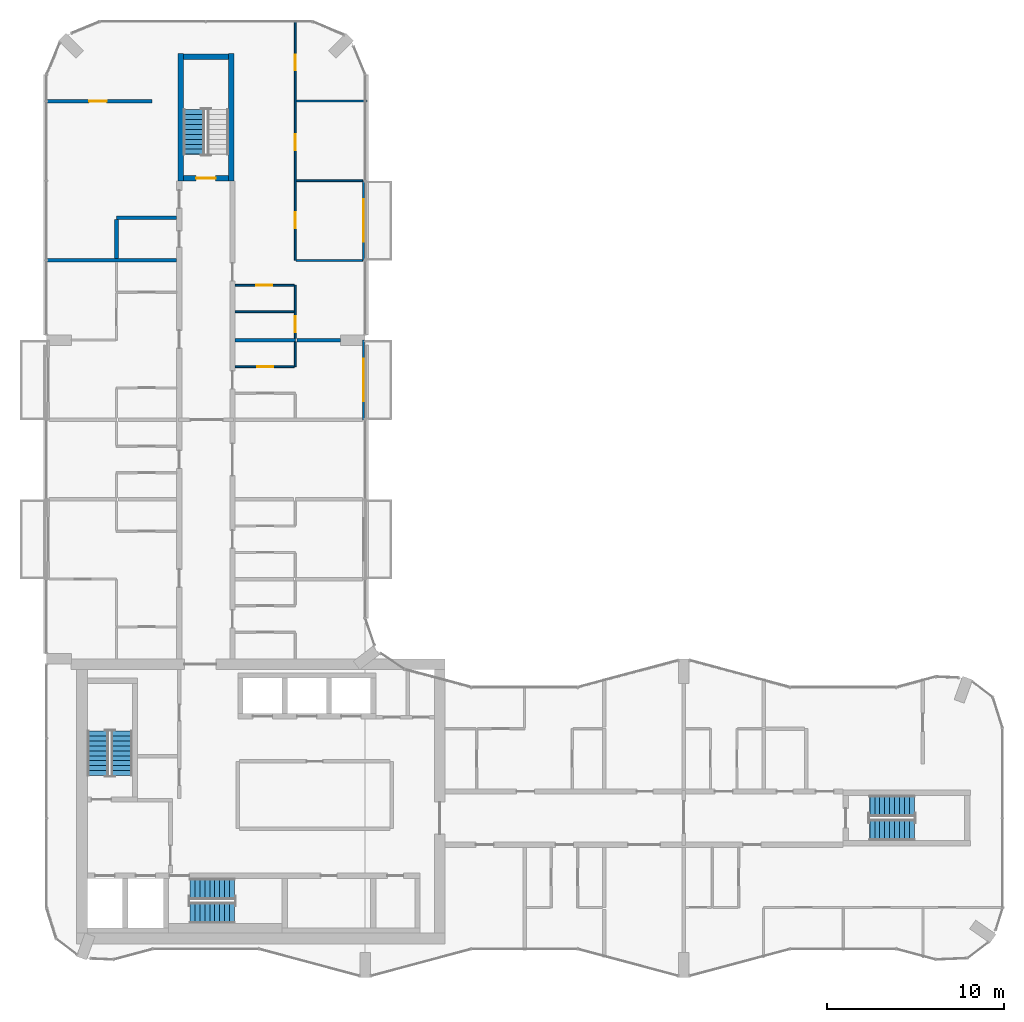
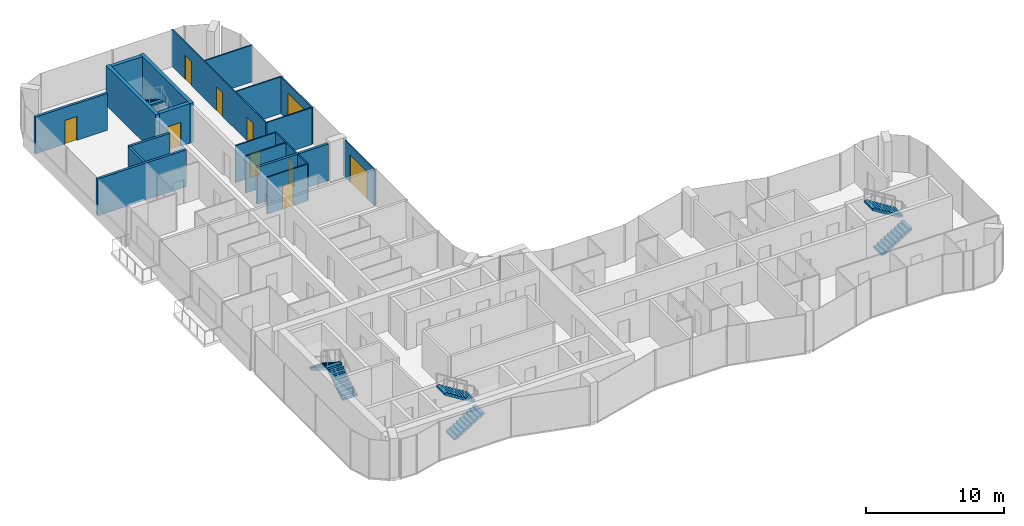
# One storey, part 13 of 17: 21 walls, 10 doors, 7 stair flights, 10 openings, 4 elements without a shape of their own.
"""IFC4 building model written with IfcOpenShell, lengths in metres."""

from ifc_helpers import new_model, si_unit, direction, frame, frame_2d, origin, place, context, subcontext, project, spatial, polyline, rectangle, outline, extrude, material, layer, layer_set, type_object, element, fill, aggregate, save


model = new_model("IFC4")

# Units and contexts
model_context = context("Model", 3, precision=1e-05, world=origin(), true_north=direction((0.0, 1.0)))
body_context = subcontext(model_context, "Body", "Model", "MODEL_VIEW")
ifc_project = project(units=[si_unit("LENGTHUNIT", "METRE"), si_unit("AREAUNIT", "SQUARE_METRE"), si_unit("VOLUMEUNIT", "CUBIC_METRE"), si_unit("PLANEANGLEUNIT", "RADIAN"), si_unit("MASSUNIT", "GRAM", prefix="KILO")], contexts=[model_context])

# Site, building, storey
site_placement = place(None, origin())
site = spatial("IfcSite", under=ifc_project, at=site_placement, CompositionType="ELEMENT")
building_placement = place(site_placement, origin())
building = spatial("IfcBuilding", under=site, at=building_placement, Name="Plateau Cross Towers", CompositionType="ELEMENT")
storey_placement = place(building_placement, frame((0.0, 0.0, 146.39990234375)))
storey = spatial("IfcBuildingStorey", under=building, at=storey_placement, Name="L37", CompositionType="ELEMENT", Elevation=146.39990234375)

# Wall, opening, door
ifc_material_1 = material(Name="Aluminium framed glazing", Category="aluminium")
ifc_layer_1 = layer(ifc_material_1, 0.10009765625)
ifc_layer_set_1 = layer_set([ifc_layer_1], Name="Aluminium framed glazing")
wall_type_1 = type_object("IfcWallType", Name="Balcony screen wall 100", PredefinedType="STANDARD", material=ifc_layer_set_1)
wall_1_placement = place(storey_placement, frame((17.89990234375, 36.0, 0.0), z_axis=(0.0, 0.0, 1.0), x_axis=(0.0, -1.0, 0.0)))
wall_1 = element("IfcWall", 1, at=wall_1_placement, inside=storey, type_object=wall_type_1, Name="Balcony screen wall A-BAL-L37-04", PredefinedType="STANDARD", context=body_context, shape_type="SweptSolid", body=[
    extrude(rectangle(XDim=4.5, YDim=0.10009765625, at=frame_2d((2.25, 0.0))), origin(), (0.0, 0.0, 1.0), 3.25),
])
opening_1_placement = place(wall_1_placement, frame((1.050048828125, 0.0, 0.0)))
opening_1 = element("IfcOpeningElement", 2, at=opening_1_placement, cuts=wall_1, Name="Opening D-B24", PredefinedType="OPENING", context=body_context, shape_type="SweptSolid", body=[
    extrude(rectangle(XDim=2.39990234375, YDim=2.39990234375, at=frame_2d((1.199951171875, 1.199951171875))), frame((0.0, 0.06005859375, 0.0), z_axis=(0.0, -1.0, 0.0), x_axis=(1.0, 0.0, 0.0)), (0.0, 0.0, 1.0), 0.1201171875),
])
ifc_material_2 = material(Name="Aluminium frame, double glazing", Category="aluminium")
door_type_1 = type_object("IfcDoorType", Name="Balcony sliding door 2400", OperationType="NOTDEFINED", PredefinedType="DOOR", material=ifc_material_2)
door_1_placement = place(opening_1_placement, origin())
door_1 = element("IfcDoor", 3, at=door_1_placement, inside=storey, type_object=door_type_1, Name="Balcony door A-BAL-L37-04", OperationType="SINGLE_SWING_LEFT", OverallHeight=2.39990234375, OverallWidth=2.39990234375, PredefinedType="DOOR", context=body_context, shape_type="SweptSolid", body=[
    extrude(rectangle(XDim=2.39990234375, YDim=2.39990234375, at=frame_2d((1.199951171875, 1.199951171875))), frame((0.0, 0.02490234375, 0.0), z_axis=(0.0, -1.0, 0.0), x_axis=(1.0, 0.0, 0.0)), (0.0, 0.0, 1.0), 0.050048828125),
])
fill(opening_1, door_1)

wall_2_placement = place(storey_placement, frame((17.89990234375, 45.0, 0.0), z_axis=(0.0, 0.0, 1.0), x_axis=(0.0, -1.0, 0.0)))
wall_2 = element("IfcWall", 4, at=wall_2_placement, inside=storey, type_object=wall_type_1, Name="Balcony screen wall A-BAL-L37-05", PredefinedType="STANDARD", context=body_context, shape_type="SweptSolid", body=[
    extrude(rectangle(XDim=4.5, YDim=0.10009765625, at=frame_2d((2.25, 0.0))), origin(), (0.0, 0.0, 1.0), 3.25),
])
opening_2_placement = place(wall_2_placement, frame((1.050048828125, 0.0, 0.0)))
opening_2 = element("IfcOpeningElement", 5, at=opening_2_placement, cuts=wall_2, Name="Opening D-B24", PredefinedType="OPENING", context=body_context, shape_type="SweptSolid", body=[
    extrude(rectangle(XDim=2.39990234375, YDim=2.39990234375, at=frame_2d((1.199951171875, 1.199951171875))), frame((0.0, 0.06005859375, 0.0), z_axis=(0.0, -1.0, 0.0), x_axis=(1.0, 0.0, 0.0)), (0.0, 0.0, 1.0), 0.1201171875),
])
door_2_placement = place(opening_2_placement, origin())
door_2 = element("IfcDoor", 6, at=door_2_placement, inside=storey, type_object=door_type_1, Name="Balcony door A-BAL-L37-05", OperationType="SINGLE_SWING_LEFT", OverallHeight=2.39990234375, OverallWidth=2.39990234375, PredefinedType="DOOR", context=body_context, shape_type="SweptSolid", body=[
    extrude(rectangle(XDim=2.39990234375, YDim=2.39990234375, at=frame_2d((1.199951171875, 1.199951171875))), frame((0.0, 0.02490234375, 0.0), z_axis=(0.0, -1.0, 0.0), x_axis=(1.0, 0.0, 0.0)), (0.0, 0.0, 1.0), 0.050048828125),
])
fill(opening_2, door_2)

ifc_material_3 = material(Name="Gypsum board on steel studs", Category="steel")
ifc_layer_2 = layer(ifc_material_3, 0.10009765625)
ifc_layer_set_2 = layer_set([ifc_layer_2], Name="Gypsum board on steel studs")
wall_type_2 = type_object("IfcWallType", Name="Flat partition 100", PredefinedType="PARTITIONING", material=ifc_layer_set_2)
wall_3_placement = place(storey_placement, frame((10.64990234375, 34.5, 0.0), z_axis=(0.0, 0.0, 1.0), x_axis=(1.0, 0.0, 0.0)))
wall_3 = element("IfcWall", 7, at=wall_3_placement, inside=storey, type_object=wall_type_2, Name="Partition wall", PredefinedType="PARTITIONING", context=body_context, shape_type="SweptSolid", body=[
    extrude(rectangle(XDim=3.35009765625, YDim=0.10009765625, at=frame_2d((1.675048828125, 0.0))), origin(), (0.0, 0.0, 1.0), 3.25),
])
opening_3_placement = place(wall_3_placement, frame((1.25, 0.0, 0.0)))
opening_3 = element("IfcOpeningElement", 8, at=opening_3_placement, cuts=wall_3, Name="Opening 37-49", PredefinedType="OPENING", context=body_context, shape_type="SweptSolid", body=[
    extrude(rectangle(XDim=0.89990234375, YDim=2.10009765625, at=frame_2d((0.449951171875, 1.050048828125))), frame((0.0, 0.06005859375, 0.0), z_axis=(0.0, -1.0, 0.0), x_axis=(1.0, 0.0, 0.0)), (0.0, 0.0, 1.0), 0.1201171875),
])
ifc_material_4 = material(Name="Timber leaf", Category="wood")
door_type_2 = type_object("IfcDoorType", Name="Flat room door 900", OperationType="NOTDEFINED", PredefinedType="DOOR", material=ifc_material_4)
door_3_placement = place(opening_3_placement, origin())
door_3 = element("IfcDoor", 9, at=door_3_placement, inside=storey, type_object=door_type_2, Name="Door 37-49", OperationType="SINGLE_SWING_RIGHT", OverallHeight=2.10009765625, OverallWidth=0.89990234375, PredefinedType="DOOR", context=body_context, shape_type="SweptSolid", body=[
    extrude(rectangle(XDim=0.89990234375, YDim=2.10009765625, at=frame_2d((0.449951171875, 1.050048828125))), frame((0.0, 0.02490234375, 0.0), z_axis=(0.0, -1.0, 0.0), x_axis=(1.0, 0.0, 0.0)), (0.0, 0.0, 1.0), 0.050048828125),
])
fill(opening_3, door_3)

# Wall
wall_4_placement = place(storey_placement, frame((14.0, 37.60009765625, 0.0), z_axis=(0.0, 0.0, 1.0), x_axis=(-1.0, 0.0, 0.0)))
element("IfcWall", 10, at=wall_4_placement, inside=storey, type_object=wall_type_2, Name="Partition wall", PredefinedType="PARTITIONING", context=body_context, shape_type="SweptSolid", body=[
    extrude(rectangle(XDim=3.35009765625, YDim=0.10009765625, at=frame_2d((1.675048828125, 0.0))), origin(), (0.0, 0.0, 1.0), 3.25),
])

# Wall, opening, door
wall_5_placement = place(storey_placement, frame((14.0, 39.10009765625, 0.0), z_axis=(0.0, 0.0, 1.0), x_axis=(-1.0, 0.0, 0.0)))
wall_5 = element("IfcWall", 11, at=wall_5_placement, inside=storey, type_object=wall_type_2, Name="Partition wall", PredefinedType="PARTITIONING", context=body_context, shape_type="SweptSolid", body=[
    extrude(rectangle(XDim=3.35009765625, YDim=0.10009765625, at=frame_2d((1.675048828125, 0.0))), origin(), (0.0, 0.0, 1.0), 3.25),
])
opening_4_placement = place(wall_5_placement, frame((1.25, 0.0, 0.0)))
opening_4 = element("IfcOpeningElement", 12, at=opening_4_placement, cuts=wall_5, Name="Opening 37-51", PredefinedType="OPENING", context=body_context, shape_type="SweptSolid", body=[
    extrude(rectangle(XDim=0.89990234375, YDim=2.10009765625, at=frame_2d((0.449951171875, 1.050048828125))), frame((0.0, 0.06005859375, 0.0), z_axis=(0.0, -1.0, 0.0), x_axis=(1.0, 0.0, 0.0)), (0.0, 0.0, 1.0), 0.1201171875),
])
door_4_placement = place(opening_4_placement, origin())
door_4 = element("IfcDoor", 13, at=door_4_placement, inside=storey, type_object=door_type_2, Name="Door 37-51", OperationType="SINGLE_SWING_RIGHT", OverallHeight=2.10009765625, OverallWidth=0.89990234375, PredefinedType="DOOR", context=body_context, shape_type="SweptSolid", body=[
    extrude(rectangle(XDim=0.89990234375, YDim=2.10009765625, at=frame_2d((0.449951171875, 1.050048828125))), frame((0.0, 0.02490234375, 0.0), z_axis=(0.0, -1.0, 0.0), x_axis=(1.0, 0.0, 0.0)), (0.0, 0.0, 1.0), 0.050048828125),
])
fill(opening_4, door_4)

# Walls
for number, where, z_axis, x_axis, name in (
    (14, (14.10009765625, 40.5, 0.0), (0.0, 0.0, 1.0), (1.0, 0.0, 0.0), "Partition wall"),
    (15, (17.85009765625, 45.0, 0.0), (0.0, 0.0, 1.0), (-1.0, 0.0, 0.0), "Partition wall"),
):
    element("IfcWall", number, at=place(storey_placement, frame(where, z_axis=z_axis, x_axis=x_axis)), inside=storey, type_object=wall_type_2, Name=name, PredefinedType="PARTITIONING", context=body_context, shape_type="SweptSolid", body=[
        extrude(rectangle(XDim=3.75, YDim=0.10009765625, at=frame_2d((1.875, 0.0))), origin(), (0.0, 0.0, 1.0), 3.25),
    ])
wall_6_placement = place(storey_placement, frame((18.080078125, 49.5, 0.0), z_axis=(0.0, 0.0, 1.0), x_axis=(-1.0, 0.0, 0.0)))
element("IfcWall", 16, at=wall_6_placement, inside=storey, type_object=wall_type_2, Name="Partition wall", PredefinedType="PARTITIONING", context=body_context, shape_type="SweptSolid", body=[
    extrude(rectangle(XDim=3.97998046875, YDim=0.10009765625, at=frame_2d((1.989990234375, 0.0))), origin(), (0.0, 0.0, 1.0), 3.25),
])

# Wall, openings, doors
wall_7_placement = place(storey_placement, frame((14.050048828125, 54.080078125, 0.0), z_axis=(0.0, 0.0, 1.0), x_axis=(0.0, -1.0, 0.0)))
wall_7 = element("IfcWall", 17, at=wall_7_placement, inside=storey, type_object=wall_type_2, Name="Partition wall", PredefinedType="PARTITIONING", context=body_context, shape_type="SweptSolid", body=[
    extrude(rectangle(XDim=13.580078125, YDim=0.10009765625, at=frame_2d((6.7900390625, 0.0))), origin(), (0.0, 0.0, 1.0), 3.25),
])
opening_5_placement = place(wall_7_placement, frame((10.85009765625, 0.0, 0.0)))
opening_5 = element("IfcOpeningElement", 18, at=opening_5_placement, cuts=wall_7, Name="Opening 37-52", PredefinedType="OPENING", context=body_context, shape_type="SweptSolid", body=[
    extrude(rectangle(XDim=0.89990234375, YDim=2.10009765625, at=frame_2d((0.449951171875, 1.050048828125))), frame((0.0, 0.06005859375, 0.0), z_axis=(0.0, -1.0, 0.0), x_axis=(1.0, 0.0, 0.0)), (0.0, 0.0, 1.0), 0.1201171875),
])
opening_6_placement = place(wall_7_placement, frame((6.449951171875, 0.0, 0.0)))
opening_6 = element("IfcOpeningElement", 19, at=opening_6_placement, cuts=wall_7, Name="Opening 37-53", PredefinedType="OPENING", context=body_context, shape_type="SweptSolid", body=[
    extrude(rectangle(XDim=0.89990234375, YDim=2.10009765625, at=frame_2d((0.449951171875, 1.050048828125))), frame((0.0, 0.06005859375, 0.0), z_axis=(0.0, -1.0, 0.0), x_axis=(1.0, 0.0, 0.0)), (0.0, 0.0, 1.0), 0.1201171875),
])
opening_7_placement = place(wall_7_placement, frame((1.949951171875, 0.0, 0.0)))
opening_7 = element("IfcOpeningElement", 20, at=opening_7_placement, cuts=wall_7, Name="Opening 37-54", PredefinedType="OPENING", context=body_context, shape_type="SweptSolid", body=[
    extrude(rectangle(XDim=0.89990234375, YDim=2.10009765625, at=frame_2d((0.449951171875, 1.050048828125))), frame((0.0, 0.06005859375, 0.0), z_axis=(0.0, -1.0, 0.0), x_axis=(1.0, 0.0, 0.0)), (0.0, 0.0, 1.0), 0.1201171875),
])
door_5_placement = place(opening_5_placement, origin())
door_5 = element("IfcDoor", 21, at=door_5_placement, inside=storey, type_object=door_type_2, Name="Door 37-52", OperationType="SINGLE_SWING_RIGHT", OverallHeight=2.10009765625, OverallWidth=0.89990234375, PredefinedType="DOOR", context=body_context, shape_type="SweptSolid", body=[
    extrude(rectangle(XDim=0.89990234375, YDim=2.10009765625, at=frame_2d((0.449951171875, 1.050048828125))), frame((0.0, 0.02490234375, 0.0), z_axis=(0.0, -1.0, 0.0), x_axis=(1.0, 0.0, 0.0)), (0.0, 0.0, 1.0), 0.050048828125),
])
fill(opening_5, door_5)
door_6_placement = place(opening_6_placement, origin())
door_6 = element("IfcDoor", 22, at=door_6_placement, inside=storey, type_object=door_type_2, Name="Door 37-53", OperationType="SINGLE_SWING_RIGHT", OverallHeight=2.10009765625, OverallWidth=0.89990234375, PredefinedType="DOOR", context=body_context, shape_type="SweptSolid", body=[
    extrude(rectangle(XDim=0.89990234375, YDim=2.10009765625, at=frame_2d((0.449951171875, 1.050048828125))), frame((0.0, 0.02490234375, 0.0), z_axis=(0.0, -1.0, 0.0), x_axis=(1.0, 0.0, 0.0)), (0.0, 0.0, 1.0), 0.050048828125),
])
fill(opening_6, door_6)
door_7_placement = place(opening_7_placement, origin())
door_7 = element("IfcDoor", 23, at=door_7_placement, inside=storey, type_object=door_type_2, Name="Door 37-54", OperationType="SINGLE_SWING_LEFT", OverallHeight=2.10009765625, OverallWidth=0.89990234375, PredefinedType="DOOR", context=body_context, shape_type="SweptSolid", body=[
    extrude(rectangle(XDim=0.89990234375, YDim=2.10009765625, at=frame_2d((0.449951171875, 1.050048828125))), frame((0.0, 0.02490234375, 0.0), z_axis=(0.0, -1.0, 0.0), x_axis=(1.0, 0.0, 0.0)), (0.0, 0.0, 1.0), 0.050048828125),
])
fill(opening_7, door_7)

# Wall
wall_8_placement = place(storey_placement, frame((14.050048828125, 34.5, 0.0), z_axis=(0.0, 0.0, 1.0), x_axis=(0.0, 1.0, 0.0)))
element("IfcWall", 24, at=wall_8_placement, inside=storey, type_object=wall_type_2, Name="Partition wall", PredefinedType="PARTITIONING", context=body_context, shape_type="SweptSolid", body=[
    extrude(rectangle(XDim=1.39990234375, YDim=0.10009765625, at=frame_2d((0.699951171875, 0.0))), origin(), (0.0, 0.0, 1.0), 3.25),
])

# Wall, opening, door
wall_9_placement = place(storey_placement, frame((14.050048828125, 36.10009765625, 0.0), z_axis=(0.0, 0.0, 1.0), x_axis=(0.0, 1.0, 0.0)))
wall_9 = element("IfcWall", 25, at=wall_9_placement, inside=storey, type_object=wall_type_2, Name="Partition wall", PredefinedType="PARTITIONING", context=body_context, shape_type="SweptSolid", body=[
    extrude(rectangle(XDim=3.0, YDim=0.10009765625, at=frame_2d((1.5, 0.0))), origin(), (0.0, 0.0, 1.0), 3.25),
])
opening_8_placement = place(wall_9_placement, frame((0.35009765625, 0.0, 0.0)))
opening_8 = element("IfcOpeningElement", 26, at=opening_8_placement, cuts=wall_9, Name="Opening 37-50", PredefinedType="OPENING", context=body_context, shape_type="SweptSolid", body=[
    extrude(rectangle(XDim=0.89990234375, YDim=2.10009765625, at=frame_2d((0.449951171875, 1.050048828125))), frame((0.0, 0.06005859375, 0.0), z_axis=(0.0, -1.0, 0.0), x_axis=(1.0, 0.0, 0.0)), (0.0, 0.0, 1.0), 0.1201171875),
])
door_8_placement = place(opening_8_placement, origin())
door_8 = element("IfcDoor", 27, at=door_8_placement, inside=storey, type_object=door_type_2, Name="Door 37-50", OperationType="SINGLE_SWING_LEFT", OverallHeight=2.10009765625, OverallWidth=0.89990234375, PredefinedType="DOOR", context=body_context, shape_type="SweptSolid", body=[
    extrude(rectangle(XDim=0.89990234375, YDim=2.10009765625, at=frame_2d((0.449951171875, 1.050048828125))), frame((0.0, 0.02490234375, 0.0), z_axis=(0.0, -1.0, 0.0), x_axis=(1.0, 0.0, 0.0)), (0.0, 0.0, 1.0), 0.050048828125),
])
fill(opening_8, door_8)

# Walls
ifc_material_5 = material(Name="Gypsum board on steel studs, two layers each side", Category="steel")
ifc_layer_3 = layer(ifc_material_5, 0.199951171875)
ifc_layer_set_3 = layer_set([ifc_layer_3], Name="Gypsum board on steel studs, two layers each side")
wall_type_3 = type_object("IfcWallType", Name="Flat party wall 200", PredefinedType="PARTITIONING", material=ifc_layer_set_3)
wall_10_placement = place(storey_placement, frame((14.050048828125, 36.0, 0.0), z_axis=(0.0, 0.0, 1.0), x_axis=(-1.0, 0.0, 0.0)))
element("IfcWall", 28, at=wall_10_placement, inside=storey, type_object=wall_type_3, Name="Party wall", PredefinedType="PARTITIONING", context=body_context, shape_type="SweptSolid", body=[
    extrude(rectangle(XDim=3.400146484375, YDim=0.199951171875, at=frame_2d((1.7001953125, 0.0))), origin(), (0.0, 0.0, 1.0), 3.25),
])
wall_11_placement = place(storey_placement, frame((14.14990234375, 36.0, 0.0), z_axis=(0.0, 0.0, 1.0), x_axis=(1.0, 0.0, 0.0)))
element("IfcWall", 29, at=wall_11_placement, inside=storey, type_object=wall_type_3, Name="Party wall", PredefinedType="PARTITIONING", context=body_context, shape_type="SweptSolid", body=[
    extrude(rectangle(XDim=2.4501953125, YDim=0.199951171875, at=frame_2d((1.22509765625, 0.0))), origin(), (0.0, 0.0, 1.0), 3.25),
])
wall_12_placement = place(storey_placement, frame((7.35009765625, 40.5, 0.0), z_axis=(0.0, 0.0, 1.0), x_axis=(-1.0, 0.0, 0.0)))
element("IfcWall", 30, at=wall_12_placement, inside=storey, type_object=wall_type_3, Name="Party wall", PredefinedType="PARTITIONING", context=body_context, shape_type="SweptSolid", body=[
    extrude(rectangle(XDim=7.43017578125, YDim=0.199951171875, at=frame_2d((3.715087890625, 0.0))), origin(), (0.0, 0.0, 1.0), 3.25),
])
wall_13_placement = place(storey_placement, frame((7.35009765625, 42.89990234375, 0.0), z_axis=(0.0, 0.0, 1.0), x_axis=(-1.0, 0.0, 0.0)))
element("IfcWall", 31, at=wall_13_placement, inside=storey, type_object=wall_type_3, Name="Party wall", PredefinedType="PARTITIONING", context=body_context, shape_type="SweptSolid", body=[
    extrude(rectangle(XDim=3.400146484375, YDim=0.199951171875, at=frame_2d((1.7001953125, 0.0))), origin(), (0.0, 0.0, 1.0), 3.25),
])

# Wall, opening, door
wall_14_placement = place(storey_placement, frame((5.949951171875, 49.5, 0.0), z_axis=(0.0, 0.0, 1.0), x_axis=(-1.0, 0.0, 0.0)))
wall_14 = element("IfcWall", 32, at=wall_14_placement, inside=storey, type_object=wall_type_3, Name="Party wall", PredefinedType="PARTITIONING", context=body_context, shape_type="SweptSolid", body=[
    extrude(rectangle(XDim=6.030029296875, YDim=0.199951171875, at=frame_2d((3.01513671875, 0.0))), origin(), (0.0, 0.0, 1.0), 3.25),
])
opening_9_placement = place(wall_14_placement, frame((2.550048828125, 0.0, 0.0)))
opening_9 = element("IfcOpeningElement", 33, at=opening_9_placement, cuts=wall_14, Name="Opening 37-23", PredefinedType="OPENING", context=body_context, shape_type="SweptSolid", body=[
    extrude(rectangle(XDim=1.0, YDim=2.10009765625, at=frame_2d((0.5, 1.050048828125))), frame((0.0, 0.10986328125, 0.0), z_axis=(0.0, -1.0, 0.0), x_axis=(1.0, 0.0, 0.0)), (0.0, 0.0, 1.0), 0.219970703125),
])
ifc_material_6 = material(Name="Timber, fire-resisting leaf", Category="wood")
door_type_3 = type_object("IfcDoorType", Name="Flat entrance door 1000", OperationType="NOTDEFINED", PredefinedType="DOOR", material=ifc_material_6)
door_9_placement = place(opening_9_placement, origin())
door_9 = element("IfcDoor", 34, at=door_9_placement, inside=storey, type_object=door_type_3, Name="Door 37-23", OperationType="SINGLE_SWING_RIGHT", OverallHeight=2.10009765625, OverallWidth=1.0, PredefinedType="DOOR", context=body_context, shape_type="SweptSolid", body=[
    extrude(rectangle(XDim=1.0, YDim=2.10009765625, at=frame_2d((0.5, 1.050048828125))), frame((0.0, 0.02490234375, 0.0), z_axis=(0.0, -1.0, 0.0), x_axis=(1.0, 0.0, 0.0)), (0.0, 0.0, 1.0), 0.050048828125),
])
fill(opening_9, door_9)

# Wall
wall_15_placement = place(storey_placement, frame((3.949951171875, 42.800048828125, 0.0), z_axis=(0.0, 0.0, 1.0), x_axis=(0.0, -1.0, 0.0)))
element("IfcWall", 35, at=wall_15_placement, inside=storey, type_object=wall_type_3, Name="Party wall", PredefinedType="PARTITIONING", context=body_context, shape_type="SweptSolid", body=[
    extrude(rectangle(XDim=2.199951171875, YDim=0.199951171875, at=frame_2d((1.10009765625, 0.0))), origin(), (0.0, 0.0, 1.0), 3.25),
])

# Wall, opening, door
ifc_material_7 = material(Name="Concrete C60/75", Category="concrete")
ifc_layer_4 = layer(ifc_material_7, 0.300048828125)
ifc_layer_set_4 = layer_set([ifc_layer_4], Name="Concrete C60/75")
wall_type_4 = type_object("IfcWallType", Name="Stair tower wall 300", PredefinedType="SHEAR", material=ifc_layer_set_4)
wall_16_placement = place(storey_placement, frame((7.72509765625, 45.14990234375, 0.0), z_axis=(0.0, 0.0, 1.0), x_axis=(1.0, 0.0, 0.0)))
wall_16 = element("IfcWall", 36, at=wall_16_placement, inside=storey, type_object=wall_type_4, Name="A-end-N-S@L37", PredefinedType="SHEAR", context=body_context, shape_type="SweptSolid", body=[
    extrude(rectangle(XDim=2.5498046875, YDim=0.300048828125, at=frame_2d((1.27490234375, 0.0))), origin(), (0.0, 0.0, 1.0), 3.5),
])
opening_10_placement = place(wall_16_placement, frame((0.72509765625, 0.0, 0.0)))
opening_10 = element("IfcOpeningElement", 37, at=opening_10_placement, cuts=wall_16, Name="Opening SD", PredefinedType="OPENING", context=body_context, shape_type="SweptSolid", body=[
    extrude(rectangle(XDim=1.10009765625, YDim=2.10009765625, at=frame_2d((0.550048828125, 1.050048828125))), frame((0.0, 0.159912109375, 0.0), z_axis=(0.0, -1.0, 0.0), x_axis=(1.0, 0.0, 0.0)), (0.0, 0.0, 1.0), 0.320068359375),
])
ifc_material_8 = material(Name="Steel, fire-resisting leaf", Category="steel")
door_type_4 = type_object("IfcDoorType", Name="Stair door 1100", OperationType="NOTDEFINED", PredefinedType="DOOR", material=ifc_material_8)
door_10_placement = place(opening_10_placement, origin())
door_10 = element("IfcDoor", 38, at=door_10_placement, inside=storey, type_object=door_type_4, Name="Stair door SD", OperationType="SINGLE_SWING_LEFT", OverallHeight=2.10009765625, OverallWidth=1.10009765625, PredefinedType="DOOR", context=body_context, shape_type="SweptSolid", body=[
    extrude(rectangle(XDim=1.10009765625, YDim=2.10009765625, at=frame_2d((0.550048828125, 1.050048828125))), frame((0.0, 0.02490234375, 0.0), z_axis=(0.0, -1.0, 0.0), x_axis=(1.0, 0.0, 0.0)), (0.0, 0.0, 1.0), 0.050048828125),
])
fill(opening_10, door_10)

# Walls
wall_17_placement = place(storey_placement, frame((7.72509765625, 52.0, 0.0), z_axis=(0.0, 0.0, 1.0), x_axis=(1.0, 0.0, 0.0)))
element("IfcWall", 39, at=wall_17_placement, inside=storey, type_object=wall_type_4, Name="A-end-N-N@L37", PredefinedType="SHEAR", context=body_context, shape_type="SweptSolid", body=[
    extrude(rectangle(XDim=2.5498046875, YDim=0.300048828125, at=frame_2d((1.27490234375, 0.0))), origin(), (0.0, 0.0, 1.0), 3.5),
])
for number, where, z_axis, x_axis, name in (
    (40, (7.574951171875, 45.0, 0.0), (0.0, 0.0, 1.0), (0.0, 1.0, 0.0), "A-end-N-W@L37"),
    (41, (10.425048828125, 45.0, 0.0), (0.0, 0.0, 1.0), (0.0, 1.0, 0.0), "A-end-N-E@L37"),
):
    element("IfcWall", number, at=place(storey_placement, frame(where, z_axis=z_axis, x_axis=x_axis)), inside=storey, type_object=wall_type_4, Name=name, PredefinedType="SHEAR", context=body_context, shape_type="SweptSolid", body=[
        extrude(rectangle(XDim=7.199951171875, YDim=0.300048828125, at=frame_2d((3.60009765625, 0.0))), origin(), (0.0, 0.0, 1.0), 3.5),
    ])

# Stair, stair flights
ifc_material_9 = material(Name="Concrete C40/50", Category="concrete")
stair_type = type_object("IfcStairType", Name="ST-TWR", PredefinedType="HALF_TURN_STAIR", material=ifc_material_9)
stair_1_placement = place(storey_placement, origin())
stair_1 = element("IfcStair", 42, at=stair_1_placement, inside=storey, type_object=stair_type, Name="L37 Protected Exit Stair ST-1", PredefinedType="HALF_TURN_STAIR")
stair_flight_type = type_object("IfcStairFlightType", Name="SFL-RC", PredefinedType="STRAIGHT", material=ifc_material_9)
stair_flight_1_placement = place(storey_placement, frame((4.25, 11.39990234375, 0.0), z_axis=(0.0, 0.0, 1.0), x_axis=(0.0, 1.0, 0.0)))
stair_flight_1 = element("IfcStairFlight", 43, at=stair_flight_1_placement, type_object=stair_flight_type, Name="ST-1 flight 1", NumberOfRisers=10, NumberOfTreads=9, PredefinedType="STRAIGHT", RiserHeight=0.175, TreadLength=0.28, context=body_context, shape_type="SweptSolid", body=[
    extrude(outline(polyline([(-0.0048828125, -0.010009765625), (-0.0048828125, 0.0), (0.0, 0.0), (0.0, 0.175048828125), (0.280029296875, 0.175048828125), (0.280029296875, 0.35009765625), (0.56005859375, 0.35009765625), (0.56005859375, 0.52490234375), (0.840087890625, 0.52490234375), (0.840087890625, 0.699951171875), (1.1201171875, 0.699951171875), (1.1201171875, 0.875), (1.39990234375, 0.875), (1.39990234375, 1.050048828125), (1.679931640625, 1.050048828125), (1.679931640625, 1.22509765625), (1.9599609375, 1.22509765625), (1.9599609375, 1.39990234375), (2.239990234375, 1.39990234375), (2.239990234375, 1.574951171875), (2.52001953125, 1.574951171875), (2.52490234375, 1.56494140625), (2.52490234375, 1.398193359375), (2.52001953125, 1.398193359375), (0.28271484375, 0.0), (0.02001953125, 0.0), (0.02001953125, -0.010009765625), (-0.0048828125, -0.010009765625)])), frame((0.0, 0.60009765625, 0.0), z_axis=(0.0, -1.0, 0.0), x_axis=(1.0, 0.0, 0.0)), (0.0, 0.0, 1.0), 1.199951171875),
])
stair_flight_2_placement = place(storey_placement, frame((2.89990234375, 13.919921875, 1.75), z_axis=(0.0, 0.0, 1.0), x_axis=(0.0, -1.0, 0.0)))
stair_flight_2 = element("IfcStairFlight", 44, at=stair_flight_2_placement, type_object=stair_flight_type, Name="ST-1 flight 2", NumberOfRisers=10, NumberOfTreads=9, PredefinedType="STRAIGHT", RiserHeight=0.175, TreadLength=0.28, context=body_context, shape_type="SweptSolid", body=[
    extrude(outline(polyline([(-0.0048828125, -0.010009765625), (-0.0048828125, 0.0), (0.0, 0.0), (0.0, 0.175048828125), (0.280029296875, 0.175048828125), (0.280029296875, 0.35009765625), (0.56005859375, 0.35009765625), (0.56005859375, 0.52490234375), (0.840087890625, 0.52490234375), (0.840087890625, 0.699951171875), (1.1201171875, 0.699951171875), (1.1201171875, 0.875), (1.39990234375, 0.875), (1.39990234375, 1.050048828125), (1.679931640625, 1.050048828125), (1.679931640625, 1.22509765625), (1.9599609375, 1.22509765625), (1.9599609375, 1.39990234375), (2.239990234375, 1.39990234375), (2.239990234375, 1.574951171875), (2.52001953125, 1.574951171875), (2.52490234375, 1.56494140625), (2.52490234375, 1.398193359375), (2.52001953125, 1.398193359375), (0.28271484375, 0.0), (0.02001953125, 0.0), (0.02001953125, -0.010009765625), (-0.0048828125, -0.010009765625)])), frame((0.0, 0.60009765625, 0.0), z_axis=(0.0, -1.0, 0.0), x_axis=(1.0, 0.0, 0.0)), (0.0, 0.0, 1.0), 1.199951171875),
])
aggregate(stair_1, [stair_flight_1, stair_flight_2])

stair_2_placement = place(storey_placement, origin())
stair_2 = element("IfcStair", 45, at=stair_2_placement, inside=storey, type_object=stair_type, Name="L37 Protected Exit Stair ST-2", PredefinedType="HALF_TURN_STAIR")
stair_flight_3_placement = place(storey_placement, frame((8.10009765625, 3.64990234375, 0.0), z_axis=(0.0, 0.0, 1.0), x_axis=(1.0, 0.0, 0.0)))
stair_flight_3 = element("IfcStairFlight", 46, at=stair_flight_3_placement, type_object=stair_flight_type, Name="ST-2 flight 1", NumberOfRisers=10, NumberOfTreads=9, PredefinedType="STRAIGHT", RiserHeight=0.175, TreadLength=0.28, context=body_context, shape_type="SweptSolid", body=[
    extrude(outline(polyline([(-0.0048828125, -0.010009765625), (-0.0048828125, 0.0), (0.0, 0.0), (0.0, 0.175048828125), (0.280029296875, 0.175048828125), (0.280029296875, 0.35009765625), (0.56005859375, 0.35009765625), (0.56005859375, 0.52490234375), (0.840087890625, 0.52490234375), (0.840087890625, 0.699951171875), (1.1201171875, 0.699951171875), (1.1201171875, 0.875), (1.39990234375, 0.875), (1.39990234375, 1.050048828125), (1.679931640625, 1.050048828125), (1.679931640625, 1.22509765625), (1.9599609375, 1.22509765625), (1.9599609375, 1.39990234375), (2.239990234375, 1.39990234375), (2.239990234375, 1.574951171875), (2.52001953125, 1.574951171875), (2.52490234375, 1.56494140625), (2.52490234375, 1.398193359375), (2.52001953125, 1.398193359375), (0.28271484375, 0.0), (0.02001953125, 0.0), (0.02001953125, -0.010009765625), (-0.0048828125, -0.010009765625)])), frame((0.0, 0.60009765625, 0.0), z_axis=(0.0, -1.0, 0.0), x_axis=(1.0, 0.0, 0.0)), (0.0, 0.0, 1.0), 1.199951171875),
])
stair_flight_4_placement = place(storey_placement, frame((10.6201171875, 5.0, 1.75), z_axis=(0.0, 0.0, 1.0), x_axis=(-1.0, 0.0, 0.0)))
stair_flight_4 = element("IfcStairFlight", 47, at=stair_flight_4_placement, type_object=stair_flight_type, Name="ST-2 flight 2", NumberOfRisers=10, NumberOfTreads=9, PredefinedType="STRAIGHT", RiserHeight=0.175, TreadLength=0.28, context=body_context, shape_type="SweptSolid", body=[
    extrude(outline(polyline([(-0.0048828125, -0.010009765625), (-0.0048828125, 0.0), (0.0, 0.0), (0.0, 0.175048828125), (0.280029296875, 0.175048828125), (0.280029296875, 0.35009765625), (0.56005859375, 0.35009765625), (0.56005859375, 0.52490234375), (0.840087890625, 0.52490234375), (0.840087890625, 0.699951171875), (1.1201171875, 0.699951171875), (1.1201171875, 0.875), (1.39990234375, 0.875), (1.39990234375, 1.050048828125), (1.679931640625, 1.050048828125), (1.679931640625, 1.22509765625), (1.9599609375, 1.22509765625), (1.9599609375, 1.39990234375), (2.239990234375, 1.39990234375), (2.239990234375, 1.574951171875), (2.52001953125, 1.574951171875), (2.52490234375, 1.56494140625), (2.52490234375, 1.398193359375), (2.52001953125, 1.398193359375), (0.28271484375, 0.0), (0.02001953125, 0.0), (0.02001953125, -0.010009765625), (-0.0048828125, -0.010009765625)])), frame((0.0, 0.60009765625, 0.0), z_axis=(0.0, -1.0, 0.0), x_axis=(1.0, 0.0, 0.0)), (0.0, 0.0, 1.0), 1.199951171875),
])
aggregate(stair_2, [stair_flight_3, stair_flight_4])

stair_3_placement = place(storey_placement, origin())
stair_3 = element("IfcStair", 48, at=stair_3_placement, inside=storey, type_object=stair_type, Name="L37 Protected Exit Stair E", PredefinedType="HALF_TURN_STAIR")
stair_flight_5_placement = place(storey_placement, frame((46.5, 8.324951171875, 0.0), z_axis=(0.0, 0.0, 1.0), x_axis=(1.0, 0.0, 0.0)))
stair_flight_5 = element("IfcStairFlight", 49, at=stair_flight_5_placement, type_object=stair_flight_type, Name="ES-E flight 1", NumberOfRisers=10, NumberOfTreads=9, PredefinedType="STRAIGHT", RiserHeight=0.175, TreadLength=0.28, context=body_context, shape_type="SweptSolid", body=[
    extrude(outline(polyline([(-0.0048828125, -0.010009765625), (-0.0048828125, 0.0), (0.0, 0.0), (0.0, 0.175048828125), (0.280029296875, 0.175048828125), (0.280029296875, 0.35009765625), (0.56005859375, 0.35009765625), (0.56005859375, 0.52490234375), (0.840087890625, 0.52490234375), (0.840087890625, 0.699951171875), (1.1201171875, 0.699951171875), (1.1201171875, 0.875), (1.39990234375, 0.875), (1.39990234375, 1.050048828125), (1.679931640625, 1.050048828125), (1.679931640625, 1.22509765625), (1.9599609375, 1.22509765625), (1.9599609375, 1.39990234375), (2.239990234375, 1.39990234375), (2.239990234375, 1.574951171875), (2.52001953125, 1.574951171875), (2.52490234375, 1.56494140625), (2.52490234375, 1.398193359375), (2.52001953125, 1.398193359375), (0.28271484375, 0.0), (0.02001953125, 0.0), (0.02001953125, -0.010009765625), (-0.0048828125, -0.010009765625)])), frame((0.0, 0.60009765625, 0.0), z_axis=(0.0, -1.0, 0.0), x_axis=(1.0, 0.0, 0.0)), (0.0, 0.0, 1.0), 1.199951171875),
])
stair_flight_6_placement = place(storey_placement, frame((49.02001953125, 9.675048828125, 1.75), z_axis=(0.0, 0.0, 1.0), x_axis=(-1.0, 0.0, 0.0)))
stair_flight_6 = element("IfcStairFlight", 50, at=stair_flight_6_placement, type_object=stair_flight_type, Name="ES-E flight 2", NumberOfRisers=10, NumberOfTreads=9, PredefinedType="STRAIGHT", RiserHeight=0.175, TreadLength=0.28, context=body_context, shape_type="SweptSolid", body=[
    extrude(outline(polyline([(-0.0048828125, -0.010009765625), (-0.0048828125, 0.0), (0.0, 0.0), (0.0, 0.175048828125), (0.280029296875, 0.175048828125), (0.280029296875, 0.35009765625), (0.56005859375, 0.35009765625), (0.56005859375, 0.52490234375), (0.840087890625, 0.52490234375), (0.840087890625, 0.699951171875), (1.1201171875, 0.699951171875), (1.1201171875, 0.875), (1.39990234375, 0.875), (1.39990234375, 1.050048828125), (1.679931640625, 1.050048828125), (1.679931640625, 1.22509765625), (1.9599609375, 1.22509765625), (1.9599609375, 1.39990234375), (2.239990234375, 1.39990234375), (2.239990234375, 1.574951171875), (2.52001953125, 1.574951171875), (2.52490234375, 1.56494140625), (2.52490234375, 1.398193359375), (2.52001953125, 1.398193359375), (0.28271484375, 0.0), (0.02001953125, 0.0), (0.02001953125, -0.010009765625), (-0.0048828125, -0.010009765625)])), frame((0.0, 0.60009765625, 0.0), z_axis=(0.0, -1.0, 0.0), x_axis=(1.0, 0.0, 0.0)), (0.0, 0.0, 1.0), 1.199951171875),
])
aggregate(stair_3, [stair_flight_5, stair_flight_6])

# Stair, stair flight
stair_4_placement = place(storey_placement, origin())
stair_4 = element("IfcStair", 51, at=stair_4_placement, inside=storey, type_object=stair_type, Name="L37 Protected Exit Stair N", PredefinedType="HALF_TURN_STAIR")
stair_flight_7_placement = place(storey_placement, frame((8.324951171875, 49.02001953125, 1.75), z_axis=(0.0, 0.0, 1.0), x_axis=(0.0, -1.0, 0.0)))
stair_flight_7 = element("IfcStairFlight", 52, at=stair_flight_7_placement, type_object=stair_flight_type, Name="ES-N flight 2", NumberOfRisers=10, NumberOfTreads=9, PredefinedType="STRAIGHT", RiserHeight=0.175, TreadLength=0.28, context=body_context, shape_type="SweptSolid", body=[
    extrude(outline(polyline([(-0.0048828125, -0.010009765625), (-0.0048828125, 0.0), (0.0, 0.0), (0.0, 0.175048828125), (0.280029296875, 0.175048828125), (0.280029296875, 0.35009765625), (0.56005859375, 0.35009765625), (0.56005859375, 0.52490234375), (0.840087890625, 0.52490234375), (0.840087890625, 0.699951171875), (1.1201171875, 0.699951171875), (1.1201171875, 0.875), (1.39990234375, 0.875), (1.39990234375, 1.050048828125), (1.679931640625, 1.050048828125), (1.679931640625, 1.22509765625), (1.9599609375, 1.22509765625), (1.9599609375, 1.39990234375), (2.239990234375, 1.39990234375), (2.239990234375, 1.574951171875), (2.52001953125, 1.574951171875), (2.52490234375, 1.56494140625), (2.52490234375, 1.398193359375), (2.52001953125, 1.398193359375), (0.28271484375, 0.0), (0.02001953125, 0.0), (0.02001953125, -0.010009765625), (-0.0048828125, -0.010009765625)])), frame((0.0, 0.60009765625, 0.0), z_axis=(0.0, -1.0, 0.0), x_axis=(1.0, 0.0, 0.0)), (0.0, 0.0, 1.0), 1.199951171875),
])
aggregate(stair_4, [stair_flight_7])

save(model, "model.ifc")
